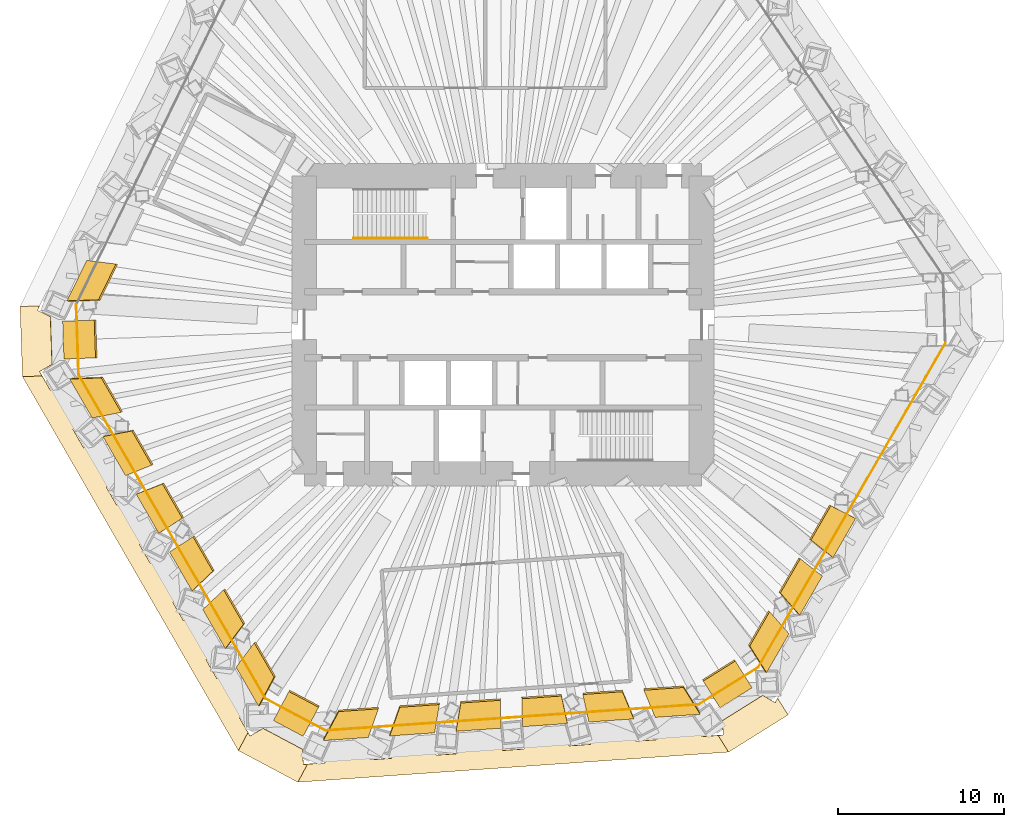
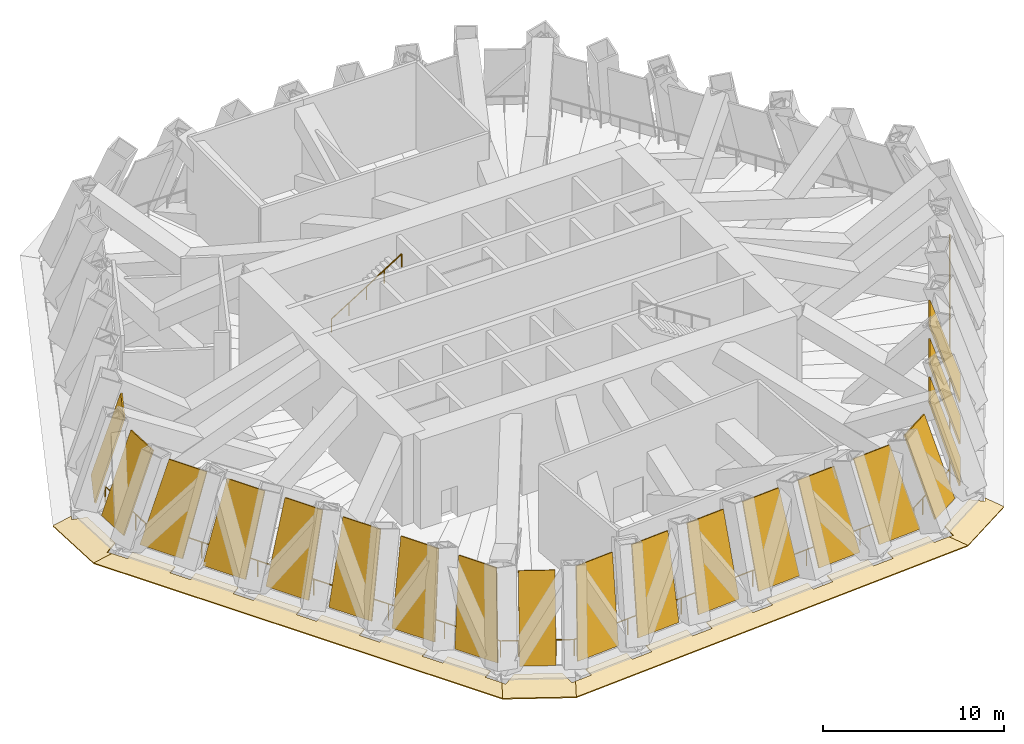
# One storey, part 9 of 12: 19 shading devices, 5 coverings, 4 railings.
"""IFC4 building model written with IfcOpenShell, lengths in metres."""

from ifc_helpers import new_model, si_unit, direction, frame, origin, origin_2d, place, context, subcontext, project, spatial, polyline, circle, outline, extrude, material, layer, layer_set, type_object, element, save


model = new_model("IFC4")

# Units and contexts
model_context = context("Model", 3, precision=1e-05, world=origin(), true_north=direction((0.0, 1.0)))
body_context = subcontext(model_context, "Body", "Model", "MODEL_VIEW")
ifc_project = project(units=[si_unit("LENGTHUNIT", "METRE"), si_unit("AREAUNIT", "SQUARE_METRE"), si_unit("VOLUMEUNIT", "CUBIC_METRE"), si_unit("PLANEANGLEUNIT", "RADIAN"), si_unit("MASSUNIT", "GRAM", prefix="KILO")], contexts=[model_context])

# Site, building, storey
site_placement = place(None, origin())
site = spatial("IfcSite", under=ifc_project, at=site_placement, CompositionType="ELEMENT")
building_placement = place(site_placement, origin())
building = spatial("IfcBuilding", under=site, at=building_placement, Name="Qingtian Harvest Tower", CompositionType="ELEMENT")
storey_placement = place(building_placement, frame((0.0, 0.0, 174.39990234375)))
storey = spatial("IfcBuildingStorey", under=building, at=storey_placement, Name="L37", CompositionType="ELEMENT", Elevation=174.39990234375)

# Coverings
ifc_material_1 = material(Name="Bronze-finished aluminium plate", Category="aluminium")
ifc_layer_1 = layer(ifc_material_1, 0.080078125)
ifc_layer_set_1 = layer_set([ifc_layer_1], Name="Bronze eave band EB1")
covering_type = type_object("IfcCoveringType", Name="Bronze eave band EB1", PredefinedType="CLADDING", material=ifc_layer_set_1)
covering_1_placement = place(storey_placement, frame((15.691162109375, -22.3876953125, -0.02001953125), z_axis=(0.086495541958, -0.138428613739, 0.986588080264), x_axis=(0.856920296024, -0.494766021191, -0.144548229105)))
element("IfcCovering", 1, at=covering_1_placement, inside=storey, type_object=covering_type, Name="Eave band EB1 L37 6", PredefinedType="CLADDING", context=body_context, shape_type="SweptSolid", body=[
    extrude(outline(polyline([(0.0, 0.0), (0.8763700720482845, -8.673617379884035e-18), (0.8730374996874231, 0.3054196918743424), (1.9404436496471247, -0.2545698347974571), (-0.028362006879363633, -4.0077276488447104), (-1.0957681568390656, -3.44773812217291), (-0.8425978974070765, -3.276983562188573), (-1.3408858718746008, -2.5558312142232684), (0.0, 0.0)])), origin(), (0.0, 0.0, -1.0), 0.080078125),
])
covering_2_placement = place(storey_placement, frame((11.96875, -24.324462890625, -0.02001953125), z_axis=(0.01284791014, -0.183736451826, 0.982891574628), x_axis=(0.068508532931, -0.980501110906, -0.184185103705)))
element("IfcCovering", 2, at=covering_2_placement, inside=storey, type_object=covering_type, Name="Eave band EB1 L37 7", PredefinedType="CLADDING", context=body_context, shape_type="SweptSolid", body=[
    extrude(outline(polyline([(0.0, 0.0), (0.5594892455177035, 5.321060974651515e-18), (0.5593061145013177, 0.9955984171267264), (1.6275980593833592, 1.5538962587269065), (1.6290663108725632, -24.526727680038526), (0.5607024555709459, -23.87064116980556), (0.5608204939538695, -22.814614409948085), (0.0010918682821359216, -22.814597392649873), (0.0009161938911019796, -20.095569717896776), (0.5606615452788832, -20.095343188369238), (0.5604424059092155, -18.795535561895306), (0.0009531603915118314, -18.795535561895306), (0.0007942117165260498, -16.076264340316467), (0.5602834572342295, -16.076264340316467), (0.5603036980185914, -14.776473731140744), (0.0008144525008879633, -14.776473731140744), (0.0006555038259018486, -12.057202509561902), (0.5601447493436054, -12.057202509561902), (0.5599423356899854, -10.757151336262224), (0.0004363644562339619, -10.757394883087972), (0.0002774157812480693, -8.038123661509127), (0.5600060414529814, -8.038140678807338), (0.5598036277993612, -6.73808950550766), (0.0002976565656100383, -6.738333052333407), (0.00013870789062403466, -4.019061830754564), (0.5596279534083275, -4.019061830754564), (0.5596649199087372, -2.7190276747530966), (-8.043147904385206e-05, -2.7192542042806327), (0.0, 0.0)])), origin(), (0.0, 0.0, -1.0), 0.080078125),
])
covering_3_placement = place(storey_placement, frame((-12.112548828125, -25.640380859375, -0.02001953125), z_axis=(-0.073679636468, -0.138573867986, 0.987607510239), x_axis=(0.069131813236, -0.98862667021, -0.133559347666)))
element("IfcCovering", 3, at=covering_3_placement, inside=storey, type_object=covering_type, Name="Eave band EB1 L37 8", PredefinedType="CLADDING", context=body_context, shape_type="SweptSolid", body=[
    extrude(outline(polyline([(0.0, 0.0), (0.9253119380523014, -1.0408340855860843e-17), (0.922487825226263, 0.24460870357375322), (1.9894107295480923, -0.41381847719927983), (-0.14846234878753328, -3.877988818020607), (-1.2151438891762059, -3.2195759034814038), (-0.9951861348907317, -3.1121608069530717), (-1.4103044832271028, -2.285047044963269), (0.0, 0.0)])), origin(), (0.0, 0.0, -1.0), 0.080078125),
])
covering_4_placement = place(storey_placement, frame((-15.451416015625, -23.4375, -0.02001953125), z_axis=(-0.159504566483, -0.092090399058, 0.982892492429), x_axis=(-0.851287393602, -0.491311943678, -0.184180203856)))
element("IfcCovering", 4, at=covering_4_placement, inside=storey, type_object=covering_type, Name="Eave band EB1 L37 9", PredefinedType="CLADDING", context=body_context, shape_type="SweptSolid", body=[
    extrude(outline(polyline([(0.0, 0.0), (0.5595222166815336, -2.873135757086587e-17), (0.5594272998361915, 1.0562737255111385), (1.6275347462043763, 1.712370942766032), (1.631582694692906, -24.368188851909842), (0.5632137233086757, -23.810059675658), (0.5631011230931703, -22.814380548785245), (0.0034589572066376917, -22.81459199936426), (0.003062354118595678, -20.09530954650613), (0.5625845708001295, -20.09530954650613), (0.5624166827464524, -18.795445509831428), (0.0028944660649177223, -18.79544550983143), (0.002377913771876905, -16.076374507552313), (0.5620200796584095, -16.076163056973297), (0.5618521916047324, -14.776299020298596), (0.002329974923198641, -14.776299020298598), (0.0018134226301578238, -12.057228018019481), (0.5613356393116916, -12.057228018019481), (0.5612877004630134, -10.757152530765767), (0.001645534576479868, -10.75736398134478), (0.0011289822834386065, -8.038292979065663), (0.5607711481699716, -8.038081528486648), (0.5606032601162941, -6.738217491811948), (0.0010810434347603426, -6.738217491811948), (0.0005644911417193033, -4.019146489532831), (0.5602066570282523, -4.018935038953818), (0.5598309351382461, -2.7189489641811297), (0.0003087184567125423, -2.7189489641811297), (0.0, 0.0)])), origin(), (0.0, 0.0, -1.0), 0.080078125),
])
covering_5_placement = place(storey_placement, frame((-27.23388671875, -2.39501953125, -0.02001953125), z_axis=(-0.163123158955, -0.005696153501, 0.986589270592), x_axis=(-0.856924288381, -0.49476126784, -0.144540831007)))
element("IfcCovering", 5, at=covering_5_placement, inside=storey, type_object=covering_type, Name="Eave band EB1 L37 10", PredefinedType="CLADDING", context=body_context, shape_type="SweptSolid", body=[
    extrude(outline(polyline([(0.0, 0.0), (0.8763700717861843, 6.245004513516506e-17), (0.8730638894126027, 0.3052982723074733), (1.9404752080560412, -0.25466021949192325), (-0.028352213084704342, -4.007776060679095), (-1.095763531728143, -3.447817568879699), (-0.8427048150992155, -3.2769584425318175), (-1.3409549738069757, -2.5558602235543035), (0.0, 0.0)])), origin(), (0.0, 0.0, -1.0), 0.080078125),
])

# Shading devices
ifc_material_2 = material(Name="Bronze-finished aluminium lattice", Category="aluminium")
ifc_layer_2 = layer(ifc_material_2, 0.10009765625)
ifc_layer_set_2 = layer_set([ifc_layer_2], Name="Bronze lattice screen LS1")
shading_device_type = type_object("IfcShadingDeviceType", Name="Bronze lattice screen LS1", PredefinedType="USERDEFINED", material=ifc_layer_set_2)
shading_device_1_placement = place(storey_placement, frame((21.3017578125, -11.704345703125, 0.0), z_axis=(0.821586313845, -0.474337015705, 0.316228278992), x_axis=(-0.499994872829, -0.866028363937, -1.154725e-06)))
element("IfcShadingDevice", 6, at=shading_device_1_placement, inside=storey, type_object=shading_device_type, Name="Lattice screen LS1 L37 SE3", ObjectType="SCREEN", PredefinedType="USERDEFINED", context=body_context, shape_type="SweptSolid", body=[
    extrude(outline(polyline([(0.0, 0.0), (2.7192824817677983, 0.0), (2.4730274826698735, -5.323222833586754), (0.0784914036576164, -5.323216609110415), (0.0, 0.0)])), origin(), (0.0, 0.0, -1.0), 0.10009765625),
])
shading_device_2_placement = place(storey_placement, frame((19.292236328125, -15.18505859375, 0.0), z_axis=(0.821572110629, -0.474354965247, 0.316238255088), x_axis=(-0.500017366656, -0.866015376894, 5.152016e-06)))
element("IfcShadingDevice", 7, at=shading_device_2_placement, inside=storey, type_object=shading_device_type, Name="Lattice screen LS1 L37 SE4", ObjectType="SCREEN", PredefinedType="USERDEFINED", context=body_context, shape_type="SweptSolid", body=[
    extrude(outline(polyline([(0.0, 0.0), (2.7190710510362113, 1.1102230246251565e-16), (2.1486901561412033, -5.323226814192493), (-0.2458459223289508, -5.323254584769146), (0.0, 0.0)])), origin(), (0.0, 0.0, -1.0), 0.10009765625),
])
shading_device_3_placement = place(storey_placement, frame((17.282470703125, -18.665771484375, 0.0), z_axis=(0.821596962108, -0.474324019361, 0.316220107697), x_axis=(-0.499978405123, -0.866037871214, -5.772006e-06)))
element("IfcShadingDevice", 8, at=shading_device_3_placement, inside=storey, type_object=shading_device_type, Name="Lattice screen LS1 L37 SE5", ObjectType="SCREEN", PredefinedType="USERDEFINED", context=body_context, shape_type="SweptSolid", body=[
    extrude(outline(polyline([(0.0, 0.0), (2.7189489813443606, -5.551115123125783e-17), (1.823690784419468, -5.323215635998855), (-0.5708452939050446, -5.323184524468374), (0.0, 0.0)])), origin(), (0.0, 0.0, -1.0), 0.10009765625),
])
shading_device_4_placement = place(storey_placement, frame((15.046875, -21.927734375, 0.0), z_axis=(0.495781784577, -0.793391048112, 0.35317285691), x_axis=(-0.84804039385, -0.529931590301, 0.0)))
element("IfcShadingDevice", 9, at=shading_device_4_placement, inside=storey, type_object=shading_device_type, Name="Lattice screen LS1 L37 SEC", ObjectType="SCREEN", PredefinedType="USERDEFINED", context=body_context, shape_type="SweptSolid", body=[
    extrude(outline(polyline([(0.0, 0.0), (2.2809363632941455, 0.0), (2.2809324958090333, -5.3978998217299266), (-3.8674851121754095e-06, -5.3978998217299266), (0.0, 0.0)])), origin(), (0.0, 0.0, -1.0), 0.10009765625),
])
shading_device_5_placement = place(storey_placement, frame((11.912841796875, -23.5263671875, 0.0), z_axis=(0.066219302382, -0.946365324199, 0.316239904417), x_axis=(-0.997561140501, -0.069798071976, 1.0523005e-05)))
element("IfcShadingDevice", 10, at=shading_device_5_placement, inside=storey, type_object=shading_device_type, Name="Lattice screen LS1 L37 S0", ObjectType="SCREEN", PredefinedType="USERDEFINED", context=body_context, shape_type="SweptSolid", body=[
    extrude(outline(polyline([(0.0, 0.0), (2.7190276789286387, -2.0816681711721685e-17), (3.2895026648031713, -5.323205080362876), (0.894983651627986, -5.323261801198545), (0.0, 0.0)])), origin(), (0.0, 0.0, -1.0), 0.10009765625),
])
shading_device_6_placement = place(storey_placement, frame((7.903564453125, -23.806640625, 0.0), z_axis=(0.066171397035, -0.946373265608, 0.316226166465), x_axis=(-0.997564340558, -0.069752322005, -4.764667e-06)))
element("IfcShadingDevice", 11, at=shading_device_6_placement, inside=storey, type_object=shading_device_type, Name="Lattice screen LS1 L37 S1", ObjectType="SCREEN", PredefinedType="USERDEFINED", context=body_context, shape_type="SweptSolid", body=[
    extrude(outline(polyline([(0.0, 0.0), (2.719027680125322, 0.0), (2.965220504604898, -5.323230764788364), (0.5704749819955292, -5.3232050813898315), (0.0, 0.0)])), origin(), (0.0, 0.0, -1.0), 0.10009765625),
])
shading_device_7_placement = place(storey_placement, frame((3.894287109375, -24.0869140625, 0.0), z_axis=(0.066172081801, -0.946383059021, 0.316196712805), x_axis=(-0.997564340578, -0.06975232171, -4.764272e-06)))
element("IfcShadingDevice", 12, at=shading_device_7_placement, inside=storey, type_object=shading_device_type, Name="Lattice screen LS1 L37 S2", ObjectType="SCREEN", PredefinedType="USERDEFINED", context=body_context, shape_type="SweptSolid", body=[
    extrude(outline(polyline([(0.0, 0.0), (2.7190276801253157, 0.0), (2.6407118329729764, -5.323174047746949), (0.24596631036358937, -5.323148366740598), (0.0, 0.0)])), origin(), (0.0, 0.0, -1.0), 0.10009765625),
])
shading_device_8_placement = place(storey_placement, frame((-0.114990234375, -24.367431640625, 0.0), z_axis=(0.066173973127, -0.946364814867, 0.316250916934), x_axis=(-0.997564131484, -0.069755312069, -3.765878e-06)))
element("IfcShadingDevice", 13, at=shading_device_8_placement, inside=storey, type_object=shading_device_type, Name="Lattice screen LS1 L37 S3", ObjectType="SCREEN", PredefinedType="USERDEFINED", context=body_context, shape_type="SweptSolid", body=[
    extrude(outline(polyline([(0.0, 0.0), (2.7190276802411866, -1.3877787807814457e-17), (2.3161690955288328, -5.323271361646653), (-0.07833288100860236, -5.323251062894494), (0.0, 0.0)])), origin(), (0.0, 0.0, -1.0), 0.10009765625),
])
shading_device_9_placement = place(storey_placement, frame((-4.124267578125, -24.647705078125, 0.0), z_axis=(0.066174662215, -0.946374669628, 0.31622128133), x_axis=(-0.997564131501, -0.069755311834, -3.765565e-06)))
element("IfcShadingDevice", 14, at=shading_device_9_placement, inside=storey, type_object=shading_device_type, Name="Lattice screen LS1 L37 S4", ObjectType="SCREEN", PredefinedType="USERDEFINED", context=body_context, shape_type="SweptSolid", body=[
    extrude(outline(polyline([(0.0, 0.0), (2.7190276802411826, 0.0), (1.9916604239107367, -5.323214640692282), (-0.4028415526267105, -5.323194343842301), (0.0, 0.0)])), origin(), (0.0, 0.0, -1.0), 0.10009765625),
])
shading_device_10_placement = place(storey_placement, frame((-8.133544921875, -24.927978515625, 0.0), z_axis=(0.066175351253, -0.946384523671, 0.316191644801), x_axis=(-0.997564131517, -0.069755311599, -3.765251e-06)))
element("IfcShadingDevice", 15, at=shading_device_10_placement, inside=storey, type_object=shading_device_type, Name="Lattice screen LS1 L37 S5", ObjectType="SCREEN", PredefinedType="USERDEFINED", context=body_context, shape_type="SweptSolid", body=[
    extrude(outline(polyline([(0.0, 0.0), (2.7190276802411786, 6.938893903907228e-18), (1.667151752292639, -5.32315792517413), (-0.7273502242448195, -5.323137630226388), (0.0, 0.0)])), origin(), (0.0, 0.0, -1.0), 0.10009765625),
])
shading_device_11_placement = place(storey_placement, frame((-12.068359375, -24.85791015625, 0.0), z_axis=(-0.43691641235, -0.821752298746, 0.365824012504), x_axis=(-0.882955180159, 0.469457292872, 0.0)))
element("IfcShadingDevice", 16, at=shading_device_11_placement, inside=storey, type_object=shading_device_type, Name="Lattice screen LS1 L37 SC", ObjectType="SCREEN", PredefinedType="USERDEFINED", context=body_context, shape_type="SweptSolid", body=[
    extrude(outline(polyline([(0.0, 0.0), (2.0287097305466135, 0.0), (2.0287082615181995, -5.426168907163968), (-1.4690284144691645e-06, -5.426168907163968), (0.0, 0.0)])), origin(), (0.0, 0.0, -1.0), 0.10009765625),
])
shading_device_12_placement = place(storey_placement, frame((-14.758544921875, -23.037353515625, 0.0), z_axis=(-0.821585839405, -0.474336741791, 0.316229922488), x_axis=(-0.499998760732, 0.866026119188, -1.2313369e-05)))
element("IfcShadingDevice", 17, at=shading_device_12_placement, inside=storey, type_object=shading_device_type, Name="Lattice screen LS1 L37 SW0", ObjectType="SCREEN", PredefinedType="USERDEFINED", context=body_context, shape_type="SweptSolid", body=[
    extrude(outline(polyline([(0.0, 0.0), (2.7190710493357653, 5.551115123125783e-17), (3.4464041301026276, -5.3232676302823965), (1.0516566190853014, -5.3232012557778265), (0.0, 0.0)])), origin(), (0.0, 0.0, -1.0), 0.10009765625),
])
shading_device_13_placement = place(storey_placement, frame((-16.76806640625, -19.556884765625, 0.0), z_axis=(-0.821591222536, -0.474339849703, 0.316211274366), x_axis=(-0.499994872865, 0.866028363916, 1.15467e-06)))
element("IfcShadingDevice", 18, at=shading_device_13_placement, inside=storey, type_object=shading_device_type, Name="Lattice screen LS1 L37 SW1", ObjectType="SCREEN", PredefinedType="USERDEFINED", context=body_context, shape_type="SweptSolid", body=[
    extrude(outline(polyline([(0.0, 0.0), (2.719282481767798, 1.1102230246251565e-16), (3.122066800869639, -5.32318421932587), (0.7275307218573813, -5.323190443467498), (0.0, 0.0)])), origin(), (0.0, 0.0, -1.0), 0.10009765625),
])
shading_device_14_placement = place(storey_placement, frame((-18.777587890625, -16.076171875, 0.0), z_axis=(-0.821571703864, -0.474354730391, 0.316239664124), x_axis=(-0.500017366669, 0.866015376886, -5.152036e-06)))
element("IfcShadingDevice", 19, at=shading_device_14_placement, inside=storey, type_object=shading_device_type, Name="Lattice screen LS1 L37 SW2", ObjectType="SCREEN", PredefinedType="USERDEFINED", context=body_context, shape_type="SweptSolid", body=[
    extrude(outline(polyline([(0.0, 0.0), (2.7190710510362113, 1.1102230246251565e-16), (2.7974562577486344, -5.32325631097191), (0.4029201792784811, -5.323228540271522), (0.0, 0.0)])), origin(), (0.0, 0.0, -1.0), 0.10009765625),
])
shading_device_15_placement = place(storey_placement, frame((-20.787109375, -12.595458984375, 0.0), z_axis=(-0.821583422686, -0.474361496543, 0.316199067305), x_axis=(-0.500017366287, 0.866015377106, -5.151448e-06)))
element("IfcShadingDevice", 20, at=shading_device_15_placement, inside=storey, type_object=shading_device_type, Name="Lattice screen LS1 L37 SW3", ObjectType="SCREEN", PredefinedType="USERDEFINED", context=body_context, shape_type="SweptSolid", body=[
    extrude(outline(polyline([(0.0, 0.0), (2.7190710510362015, -5.551115123125783e-17), (2.4728319339107165, -5.323178617164814), (0.07829585544053351, -5.3231508500294495), (0.0, 0.0)])), origin(), (0.0, 0.0, -1.0), 0.10009765625),
])
shading_device_16_placement = place(storey_placement, frame((-22.796630859375, -9.114990234375, 0.0), z_axis=(-0.821572907088, -0.474355425103, 0.316235496132), x_axis=(-0.50001736663, 0.866015376909, -5.151976e-06)))
element("IfcShadingDevice", 21, at=shading_device_16_placement, inside=storey, type_object=shading_device_type, Name="Lattice screen LS1 L37 SW4", ObjectType="SCREEN", PredefinedType="USERDEFINED", context=body_context, shape_type="SweptSolid", body=[
    extrude(outline(polyline([(0.0, 0.0), (2.7190710510362104, -5.551115123125783e-17), (2.148508387549946, -5.323244990461683), (-0.24602769092021057, -5.323217220127309), (0.0, 0.0)])), origin(), (0.0, 0.0, -1.0), 0.10009765625),
])
shading_device_17_placement = place(storey_placement, frame((-24.80615234375, -5.63427734375, 0.0), z_axis=(-0.821592116761, -0.474340365978, 0.316208176492), x_axis=(-0.499998760243, 0.86602611947, -1.2312617e-05)))
element("IfcShadingDevice", 22, at=shading_device_17_placement, inside=storey, type_object=shading_device_type, Name="Lattice screen LS1 L37 SW5", ObjectType="SCREEN", PredefinedType="USERDEFINED", context=body_context, shape_type="SweptSolid", body=[
    extrude(outline(polyline([(0.0, 0.0), (2.719071049335734, -5.551115123125783e-17), (1.824095492501447, -5.32320590003051), (-0.5706520185159704, -5.323139530090277), (0.0, 0.0)])), origin(), (0.0, 0.0, -1.0), 0.10009765625),
])
shading_device_18_placement = place(storey_placement, frame((-26.513427734375, -2.06689453125, 0.0), z_axis=(-0.934985677258, -0.032646637475, 0.353179813103), x_axis=(-0.034895692111, 0.999390959871, -6.17133e-07)))
element("IfcShadingDevice", 23, at=shading_device_18_placement, inside=storey, type_object=shading_device_type, Name="Lattice screen LS1 L37 SWC", ObjectType="SCREEN", PredefinedType="USERDEFINED", context=body_context, shape_type="SweptSolid", body=[
    extrude(outline(polyline([(0.0, 0.0), (2.2806860344196953, -3.469446951953614e-18), (2.2808068804674035, -5.397916477497645), (-0.00012314588585395235, -5.397913468456866), (0.0, 0.0)])), origin(), (0.0, 0.0, -1.0), 0.10009765625),
])
shading_device_19_placement = place(storey_placement, frame((-26.330810546875, 1.4462890625, 0.0), z_axis=(-0.852665192368, 0.415892260097, 0.316220963435), x_axis=(0.438384738714, 0.898787416886, -1.0507172e-05)))
element("IfcShadingDevice", 24, at=shading_device_19_placement, inside=storey, type_object=shading_device_type, Name="Lattice screen LS1 L37 NW0", ObjectType="SCREEN", PredefinedType="USERDEFINED", context=body_context, shape_type="SweptSolid", body=[
    extrude(outline(polyline([(0.0, 0.0), (2.7190078948800425, 0.0), (3.2895926711913073, -5.32324257492035), (0.8950942687697819, -5.323185940253584), (0.0, 0.0)])), origin(), (0.0, 0.0, -1.0), 0.10009765625),
])

# Railings
ifc_material_3 = material(Name="Stainless steel handrail", Category="steel")
railing_type_1 = type_object("IfcRailingType", Name="Handrail HR1", PredefinedType="HANDRAIL", material=ifc_material_3)
railing_1_placement = place(storey_placement, frame((-9.030029296875, 5.22998046875, 3.176513671875)))
element("IfcRailing", 25, at=railing_1_placement, inside=storey, type_object=railing_type_1, Name="Handrail HR1 S1 flight 2", PredefinedType="HANDRAIL", context=body_context, shape_type="SweptSolid", body=[
    extrude(circle(Radius=0.02392578125, at=origin_2d()), frame((0.0, 0.0, 0.8759765625), z_axis=(0.845997938375, 0.0, 0.533186166611), x_axis=(0.0, 1.0, 0.0)), (0.0, 0.0, 1.0), 5.29541015625),
    extrude(circle(Radius=0.02099609375, at=origin_2d()), origin(), (0.0, 0.0, 1.0), 0.851806640625),
    extrude(circle(Radius=0.02099609375, at=origin_2d()), frame((1.1201171875, 0.0, 0.705810546875)), (0.0, 0.0, 1.0), 0.851806640625),
    extrude(circle(Radius=0.02099609375, at=origin_2d()), frame((2.239990234375, 0.0, 1.41162109375)), (0.0, 0.0, 1.0), 0.851806640625),
    extrude(circle(Radius=0.02099609375, at=origin_2d()), frame((3.35986328125, 0.0, 2.11767578125)), (0.0, 0.0, 1.0), 0.851806640625),
    extrude(circle(Radius=0.02099609375, at=origin_2d()), frame((4.47998046875, 0.0, 2.823486328125)), (0.0, 0.0, 1.0), 0.851806640625),
])
ifc_material_4 = material(Name="Galvanised steel guard", Category="steel")
railing_type_2 = type_object("IfcRailingType", Name="Setback roof guard GR4 1100", PredefinedType="GUARDRAIL", material=ifc_material_4)
railing_2_placement = place(storey_placement, frame((26.7294921875, -1.10302734375, 0.0)))
element("IfcRailing", 26, at=railing_2_placement, inside=storey, type_object=railing_type_2, Name="Setback roof guard GR4 L37 SE", PredefinedType="GUARDRAIL", context=body_context, shape_type="SweptSolid", body=[
    extrude(circle(Radius=0.02392578125, at=origin_2d()), frame((0.0, 0.0, 1.076171875), z_axis=(-0.499995683398, -0.866027895962, 0.0), x_axis=(0.866027895962, -0.499995683398, 0.0)), (0.0, 0.0, 1.0), 22.611083984375),
    extrude(circle(Radius=0.02392578125, at=origin_2d()), frame((-11.305419921875, -19.581787109375, 1.076171875), z_axis=(-0.848056550838, -0.529905733675, 0.0), x_axis=(0.529905733675, -0.848056550838, 0.0)), (0.0, 0.0, 1.0), 4.23828125),
    extrude(circle(Radius=0.02099609375, at=origin_2d()), origin(), (0.0, 0.0, 1.0), 1.052001953125),
    extrude(circle(Radius=0.02099609375, at=origin_2d()), frame((-0.594970703125, -1.030517578125, 0.0)), (0.0, 0.0, 1.0), 1.052001953125),
    extrude(circle(Radius=0.02099609375, at=origin_2d()), frame((-1.18994140625, -2.061279296875, 0.0)), (0.0, 0.0, 1.0), 1.052001953125),
    extrude(circle(Radius=0.02099609375, at=origin_2d()), frame((-1.78515625, -3.091796875, 0.0)), (0.0, 0.0, 1.0), 1.052001953125),
    extrude(circle(Radius=0.02099609375, at=origin_2d()), frame((-2.380126953125, -4.12255859375, 0.0)), (0.0, 0.0, 1.0), 1.052001953125),
    extrude(circle(Radius=0.02099609375, at=origin_2d()), frame((-2.97509765625, -5.153076171875, 0.0)), (0.0, 0.0, 1.0), 1.052001953125),
    extrude(circle(Radius=0.02099609375, at=origin_2d()), frame((-3.570068359375, -6.183837890625, 0.0)), (0.0, 0.0, 1.0), 1.052001953125),
    extrude(circle(Radius=0.02099609375, at=origin_2d()), frame((-4.1650390625, -7.21435546875, 0.0)), (0.0, 0.0, 1.0), 1.052001953125),
    extrude(circle(Radius=0.02099609375, at=origin_2d()), frame((-4.76025390625, -8.244873046875, 0.0)), (0.0, 0.0, 1.0), 1.052001953125),
    extrude(circle(Radius=0.02099609375, at=origin_2d()), frame((-5.355224609375, -9.275634765625, 0.0)), (0.0, 0.0, 1.0), 1.052001953125),
    extrude(circle(Radius=0.02099609375, at=origin_2d()), frame((-5.9501953125, -10.30615234375, 0.0)), (0.0, 0.0, 1.0), 1.052001953125),
    extrude(circle(Radius=0.02099609375, at=origin_2d()), frame((-6.545166015625, -11.3369140625, 0.0)), (0.0, 0.0, 1.0), 1.052001953125),
    extrude(circle(Radius=0.02099609375, at=origin_2d()), frame((-7.140380859375, -12.367431640625, 0.0)), (0.0, 0.0, 1.0), 1.052001953125),
    extrude(circle(Radius=0.02099609375, at=origin_2d()), frame((-7.7353515625, -13.39794921875, 0.0)), (0.0, 0.0, 1.0), 1.052001953125),
    extrude(circle(Radius=0.02099609375, at=origin_2d()), frame((-8.330322265625, -14.4287109375, 0.0)), (0.0, 0.0, 1.0), 1.052001953125),
    extrude(circle(Radius=0.02099609375, at=origin_2d()), frame((-8.92529296875, -15.459228515625, 0.0)), (0.0, 0.0, 1.0), 1.052001953125),
    extrude(circle(Radius=0.02099609375, at=origin_2d()), frame((-9.520263671875, -16.489990234375, 0.0)), (0.0, 0.0, 1.0), 1.052001953125),
    extrude(circle(Radius=0.02099609375, at=origin_2d()), frame((-10.115478515625, -17.5205078125, 0.0)), (0.0, 0.0, 1.0), 1.052001953125),
    extrude(circle(Radius=0.02099609375, at=origin_2d()), frame((-10.71044921875, -18.55126953125, 0.0)), (0.0, 0.0, 1.0), 1.052001953125),
    extrude(circle(Radius=0.02099609375, at=origin_2d()), frame((-11.305419921875, -19.581787109375, 0.0)), (0.0, 0.0, 1.0), 1.052001953125),
    extrude(circle(Radius=0.02099609375, at=origin_2d()), frame((-12.2041015625, -20.143310546875, 0.0)), (0.0, 0.0, 1.0), 1.052001953125),
    extrude(circle(Radius=0.02099609375, at=origin_2d()), frame((-13.1025390625, -20.70458984375, 0.0)), (0.0, 0.0, 1.0), 1.052001953125),
    extrude(circle(Radius=0.02099609375, at=origin_2d()), frame((-14.0009765625, -21.26611328125, 0.0)), (0.0, 0.0, 1.0), 1.052001953125),
    extrude(circle(Radius=0.02099609375, at=origin_2d()), frame((-14.899658203125, -21.82763671875, 0.0)), (0.0, 0.0, 1.0), 1.052001953125),
])
railing_3_placement = place(storey_placement, frame((11.829833984375, -22.9306640625, 0.0)))
element("IfcRailing", 27, at=railing_3_placement, inside=storey, type_object=railing_type_2, Name="Setback roof guard GR4 L37 S", PredefinedType="GUARDRAIL", context=body_context, shape_type="SweptSolid", body=[
    extrude(circle(Radius=0.02392578125, at=origin_2d()), frame((0.0, 0.0, 1.076171875), z_axis=(-0.99756434952, -0.069752193985, 0.0), x_axis=(0.069752193985, -0.99756434952, 0.0)), (0.0, 0.0, 1.0), 22.61083984375),
    extrude(circle(Radius=0.02392578125, at=origin_2d()), frame((-22.5556640625, -1.5771484375, 1.076171875), z_axis=(-0.882968133669, 0.469432929101, 0.0), x_axis=(-0.469432929101, -0.882968133669, 0.0)), (0.0, 0.0, 1.0), 4.070556640625),
    extrude(circle(Radius=0.02099609375, at=origin_2d()), origin(), (0.0, 0.0, 1.0), 1.052001953125),
    extrude(circle(Radius=0.02099609375, at=origin_2d()), frame((-1.187255859375, -0.0830078125, 0.0)), (0.0, 0.0, 1.0), 1.052001953125),
    extrude(circle(Radius=0.02099609375, at=origin_2d()), frame((-2.374267578125, -0.166015625, 0.0)), (0.0, 0.0, 1.0), 1.052001953125),
    extrude(circle(Radius=0.02099609375, at=origin_2d()), frame((-3.5615234375, -0.2490234375, 0.0)), (0.0, 0.0, 1.0), 1.052001953125),
    extrude(circle(Radius=0.02099609375, at=origin_2d()), frame((-4.74853515625, -0.33203125, 0.0)), (0.0, 0.0, 1.0), 1.052001953125),
    extrude(circle(Radius=0.02099609375, at=origin_2d()), frame((-5.935791015625, -0.4150390625, 0.0)), (0.0, 0.0, 1.0), 1.052001953125),
    extrude(circle(Radius=0.02099609375, at=origin_2d()), frame((-7.122802734375, -0.498046875, 0.0)), (0.0, 0.0, 1.0), 1.052001953125),
    extrude(circle(Radius=0.02099609375, at=origin_2d()), frame((-8.31005859375, -0.5810546875, 0.0)), (0.0, 0.0, 1.0), 1.052001953125),
    extrude(circle(Radius=0.02099609375, at=origin_2d()), frame((-9.4970703125, -0.6640625, 0.0)), (0.0, 0.0, 1.0), 1.052001953125),
    extrude(circle(Radius=0.02099609375, at=origin_2d()), frame((-10.684326171875, -0.7470703125, 0.0)), (0.0, 0.0, 1.0), 1.052001953125),
    extrude(circle(Radius=0.02099609375, at=origin_2d()), frame((-11.871337890625, -0.830078125, 0.0)), (0.0, 0.0, 1.0), 1.052001953125),
    extrude(circle(Radius=0.02099609375, at=origin_2d()), frame((-13.05859375, -0.9130859375, 0.0)), (0.0, 0.0, 1.0), 1.052001953125),
    extrude(circle(Radius=0.02099609375, at=origin_2d()), frame((-14.24560546875, -0.99609375, 0.0)), (0.0, 0.0, 1.0), 1.052001953125),
    extrude(circle(Radius=0.02099609375, at=origin_2d()), frame((-15.432861328125, -1.0791015625, 0.0)), (0.0, 0.0, 1.0), 1.052001953125),
    extrude(circle(Radius=0.02099609375, at=origin_2d()), frame((-16.619873046875, -1.162109375, 0.0)), (0.0, 0.0, 1.0), 1.052001953125),
    extrude(circle(Radius=0.02099609375, at=origin_2d()), frame((-17.80712890625, -1.2451171875, 0.0)), (0.0, 0.0, 1.0), 1.052001953125),
    extrude(circle(Radius=0.02099609375, at=origin_2d()), frame((-18.994140625, -1.328125, 0.0)), (0.0, 0.0, 1.0), 1.052001953125),
    extrude(circle(Radius=0.02099609375, at=origin_2d()), frame((-20.181396484375, -1.4111328125, 0.0)), (0.0, 0.0, 1.0), 1.052001953125),
    extrude(circle(Radius=0.02099609375, at=origin_2d()), frame((-21.368408203125, -1.494140625, 0.0)), (0.0, 0.0, 1.0), 1.052001953125),
    extrude(circle(Radius=0.02099609375, at=origin_2d()), frame((-22.5556640625, -1.5771484375, 0.0)), (0.0, 0.0, 1.0), 1.052001953125),
    extrude(circle(Radius=0.02099609375, at=origin_2d()), frame((-23.4541015625, -1.099365234375, 0.0)), (0.0, 0.0, 1.0), 1.052001953125),
    extrude(circle(Radius=0.02099609375, at=origin_2d()), frame((-24.352783203125, -0.62158203125, 0.0)), (0.0, 0.0, 1.0), 1.052001953125),
    extrude(circle(Radius=0.02099609375, at=origin_2d()), frame((-25.25146484375, -0.14404296875, 0.0)), (0.0, 0.0, 1.0), 1.052001953125),
    extrude(circle(Radius=0.02099609375, at=origin_2d()), frame((-26.14990234375, 0.333740234375, 0.0)), (0.0, 0.0, 1.0), 1.052001953125),
])
railing_4_placement = place(storey_placement, frame((-14.320068359375, -22.596923828125, 0.0)))
element("IfcRailing", 28, at=railing_4_placement, inside=storey, type_object=railing_type_2, Name="Setback roof guard GR4 L37 SW", PredefinedType="GUARDRAIL", context=body_context, shape_type="SweptSolid", body=[
    extrude(circle(Radius=0.02392578125, at=origin_2d()), frame((0.0, 0.0, 1.076171875), z_axis=(-0.499995683398, 0.866027895962, 0.0), x_axis=(-0.866027895962, -0.499995683398, 0.0)), (0.0, 0.0, 1.0), 22.611083984375),
    extrude(circle(Radius=0.02392578125, at=origin_2d()), frame((-11.305419921875, 19.581787109375, 1.076171875), z_axis=(-0.03491068736, 0.99939043617, 0.0), x_axis=(-0.99939043617, -0.03491068736, 0.0)), (0.0, 0.0, 1.0), 4.238037109375),
    extrude(circle(Radius=0.02099609375, at=origin_2d()), origin(), (0.0, 0.0, 1.0), 1.052001953125),
    extrude(circle(Radius=0.02099609375, at=origin_2d()), frame((-0.594970703125, 1.030517578125, 0.0)), (0.0, 0.0, 1.0), 1.052001953125),
    extrude(circle(Radius=0.02099609375, at=origin_2d()), frame((-1.18994140625, 2.061279296875, 0.0)), (0.0, 0.0, 1.0), 1.052001953125),
    extrude(circle(Radius=0.02099609375, at=origin_2d()), frame((-1.78515625, 3.091796875, 0.0)), (0.0, 0.0, 1.0), 1.052001953125),
    extrude(circle(Radius=0.02099609375, at=origin_2d()), frame((-2.380126953125, 4.12255859375, 0.0)), (0.0, 0.0, 1.0), 1.052001953125),
    extrude(circle(Radius=0.02099609375, at=origin_2d()), frame((-2.97509765625, 5.153076171875, 0.0)), (0.0, 0.0, 1.0), 1.052001953125),
    extrude(circle(Radius=0.02099609375, at=origin_2d()), frame((-3.570068359375, 6.183837890625, 0.0)), (0.0, 0.0, 1.0), 1.052001953125),
    extrude(circle(Radius=0.02099609375, at=origin_2d()), frame((-4.1650390625, 7.21435546875, 0.0)), (0.0, 0.0, 1.0), 1.052001953125),
    extrude(circle(Radius=0.02099609375, at=origin_2d()), frame((-4.76025390625, 8.244873046875, 0.0)), (0.0, 0.0, 1.0), 1.052001953125),
    extrude(circle(Radius=0.02099609375, at=origin_2d()), frame((-5.355224609375, 9.275634765625, 0.0)), (0.0, 0.0, 1.0), 1.052001953125),
    extrude(circle(Radius=0.02099609375, at=origin_2d()), frame((-5.9501953125, 10.30615234375, 0.0)), (0.0, 0.0, 1.0), 1.052001953125),
    extrude(circle(Radius=0.02099609375, at=origin_2d()), frame((-6.545166015625, 11.3369140625, 0.0)), (0.0, 0.0, 1.0), 1.052001953125),
    extrude(circle(Radius=0.02099609375, at=origin_2d()), frame((-7.140380859375, 12.367431640625, 0.0)), (0.0, 0.0, 1.0), 1.052001953125),
    extrude(circle(Radius=0.02099609375, at=origin_2d()), frame((-7.7353515625, 13.39794921875, 0.0)), (0.0, 0.0, 1.0), 1.052001953125),
    extrude(circle(Radius=0.02099609375, at=origin_2d()), frame((-8.330322265625, 14.4287109375, 0.0)), (0.0, 0.0, 1.0), 1.052001953125),
    extrude(circle(Radius=0.02099609375, at=origin_2d()), frame((-8.92529296875, 15.459228515625, 0.0)), (0.0, 0.0, 1.0), 1.052001953125),
    extrude(circle(Radius=0.02099609375, at=origin_2d()), frame((-9.520263671875, 16.489990234375, 0.0)), (0.0, 0.0, 1.0), 1.052001953125),
    extrude(circle(Radius=0.02099609375, at=origin_2d()), frame((-10.115478515625, 17.5205078125, 0.0)), (0.0, 0.0, 1.0), 1.052001953125),
    extrude(circle(Radius=0.02099609375, at=origin_2d()), frame((-10.71044921875, 18.55126953125, 0.0)), (0.0, 0.0, 1.0), 1.052001953125),
    extrude(circle(Radius=0.02099609375, at=origin_2d()), frame((-11.305419921875, 19.581787109375, 0.0)), (0.0, 0.0, 1.0), 1.052001953125),
    extrude(circle(Radius=0.02099609375, at=origin_2d()), frame((-11.34228515625, 20.640625, 0.0)), (0.0, 0.0, 1.0), 1.052001953125),
    extrude(circle(Radius=0.02099609375, at=origin_2d()), frame((-11.37939453125, 21.699462890625, 0.0)), (0.0, 0.0, 1.0), 1.052001953125),
    extrude(circle(Radius=0.02099609375, at=origin_2d()), frame((-11.41650390625, 22.75830078125, 0.0)), (0.0, 0.0, 1.0), 1.052001953125),
    extrude(circle(Radius=0.02099609375, at=origin_2d()), frame((-11.453369140625, 23.817138671875, 0.0)), (0.0, 0.0, 1.0), 1.052001953125),
])

save(model, "model.ifc")
